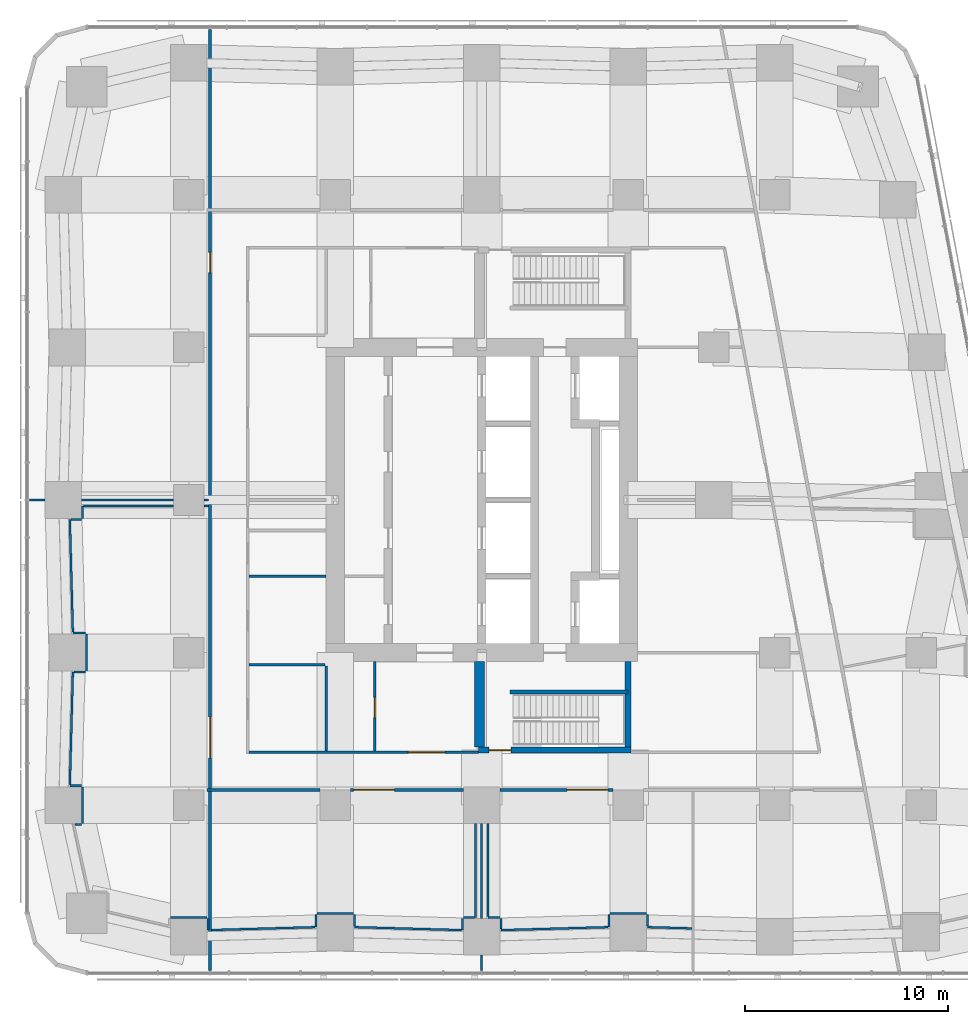
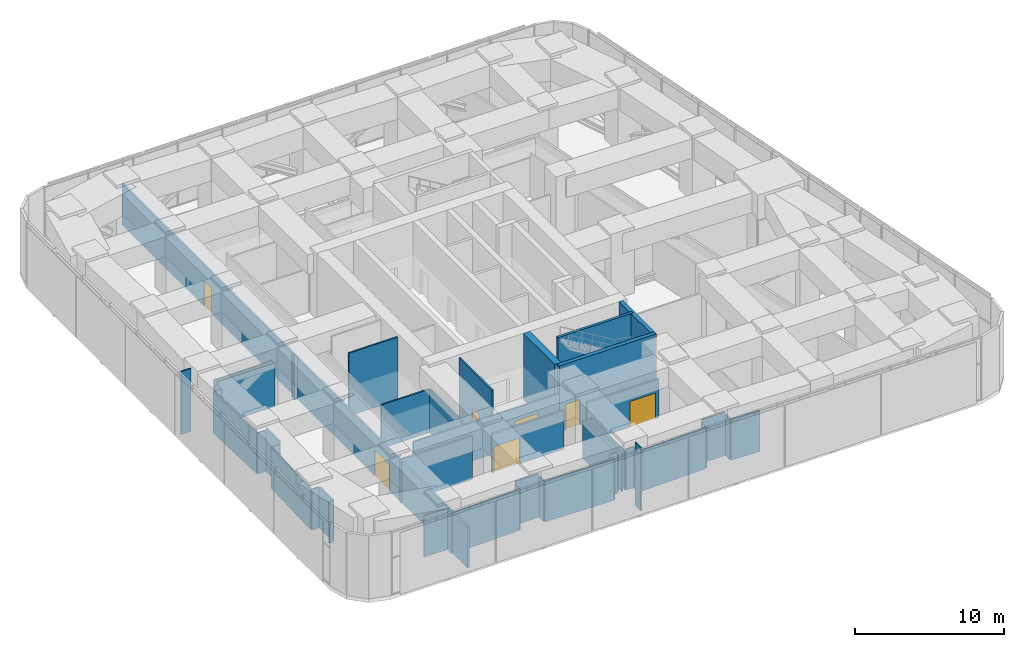
# One storey, part 12 of 17: 48 walls, 7 doors, 7 openings.
"""IFC4 building model written with IfcOpenShell, lengths in metres."""

from ifc_helpers import new_model, si_unit, direction, frame, frame_2d, origin, place, context, subcontext, project, spatial, rectangle, extrude, material, layer, layer_set, type_object, element, fill, save


model = new_model("IFC4")

# Units and contexts
model_context = context("Model", 3, precision=1e-05, world=origin(), true_north=direction((0.0, 1.0)))
body_context = subcontext(model_context, "Body", "Model", "MODEL_VIEW")
ifc_project = project(units=[si_unit("LENGTHUNIT", "METRE"), si_unit("AREAUNIT", "SQUARE_METRE"), si_unit("VOLUMEUNIT", "CUBIC_METRE"), si_unit("PLANEANGLEUNIT", "RADIAN"), si_unit("MASSUNIT", "GRAM", prefix="KILO")], contexts=[model_context])

# Site, building, storey
site_placement = place(None, origin())
site = spatial("IfcSite", under=ifc_project, at=site_placement, CompositionType="ELEMENT")
building_placement = place(site_placement, origin())
building = spatial("IfcBuilding", under=site, at=building_placement, Name="Sheger Commons Tower", CompositionType="ELEMENT")
storey_placement = place(building_placement, frame((0.0, 0.0, 188.300048828125)))
storey = spatial("IfcBuildingStorey", under=building, at=storey_placement, Name="L48", CompositionType="ELEMENT", Elevation=188.300048828125)

# Wall, openings, doors
ifc_material_1 = material(Name="Hollow concrete block masonry, skimmed both sides", Category="masonry")
ifc_layer_1 = layer(ifc_material_1, 0.14990234375)
ifc_layer_set_1 = layer_set([ifc_layer_1], Name="CORRIDOR WALL 150")
wall_type_1 = type_object("IfcWallType", Name="CORRIDOR WALL 150", PredefinedType="SOLIDWALL", material=ifc_layer_set_1)
wall_1_placement = place(storey_placement, frame((8.25, -0.636962890625, 0.0), z_axis=(0.0, 0.0, 1.0), x_axis=(0.0, 1.0, 0.0)))
wall_1 = element("IfcWall", 1, at=wall_1_placement, inside=storey, type_object=wall_type_1, Name="Corridor wall L48", PredefinedType="SOLIDWALL", context=body_context, shape_type="SweptSolid", body=[
    extrude(rectangle(XDim=46.27490234375, YDim=0.14990234375, at=frame_2d((23.137451171875, 0.0))), origin(), (0.0, 0.0, 1.0), 3.349853515625),
])
opening_1_placement = place(wall_1_placement, frame((10.4619140625, 0.0, 0.0)))
opening_1 = element("IfcOpeningElement", 2, at=opening_1_placement, cuts=wall_1, Name="Opening D8", PredefinedType="OPENING", context=body_context, shape_type="SweptSolid", body=[
    extrude(rectangle(XDim=2.0, YDim=2.10009765625, at=frame_2d((1.0, 1.050048828125))), frame((0.0, 0.0849609375, 0.0), z_axis=(0.0, -1.0, 0.0), x_axis=(1.0, 0.0, 0.0)), (0.0, 0.0, 1.0), 0.169921875),
])
opening_2_placement = place(wall_1_placement, frame((34.31201171875, 0.0, 0.0)))
opening_2 = element("IfcOpeningElement", 3, at=opening_2_placement, cuts=wall_1, Name="Opening D4", PredefinedType="OPENING", context=body_context, shape_type="SweptSolid", body=[
    extrude(rectangle(XDim=1.0, YDim=2.10009765625, at=frame_2d((0.5, 1.050048828125))), frame((0.0, 0.0849609375, 0.0), z_axis=(0.0, -1.0, 0.0), x_axis=(1.0, 0.0, 0.0)), (0.0, 0.0, 1.0), 0.169921875),
])
ifc_material_2 = material(Name="Steel door set, fire rated", Category="steel")
door_type_1 = type_object("IfcDoorType", Name="COMMUNITY HALL DOUBLE DOOR 2000x2100", OperationType="DOUBLE_DOOR_SINGLE_SWING", PredefinedType="DOOR", material=ifc_material_2)
door_1_placement = place(opening_1_placement, origin())
door_1 = element("IfcDoor", 4, at=door_1_placement, inside=storey, type_object=door_type_1, Name="Residents' gym door", OperationType="DOUBLE_DOOR_SINGLE_SWING", OverallHeight=2.10009765625, OverallWidth=2.0, PredefinedType="DOOR", context=body_context, shape_type="SweptSolid", body=[
    extrude(rectangle(XDim=2.0, YDim=2.10009765625, at=frame_2d((1.0, 1.050048828125))), frame((0.0, 0.02490234375, 0.0), z_axis=(0.0, -1.0, 0.0), x_axis=(1.0, 0.0, 0.0)), (0.0, 0.0, 1.0), 0.050048828125),
])
fill(opening_1, door_1)
ifc_material_3 = material(Name="Steel door set, fire rated", Category="steel")
door_type_2 = type_object("IfcDoorType", Name="SERVICE DOOR 1000x2100", OperationType="NOTDEFINED", PredefinedType="DOOR", material=ifc_material_3)
door_2_placement = place(opening_2_placement, origin())
door_2 = element("IfcDoor", 5, at=door_2_placement, inside=storey, type_object=door_type_2, Name="Refuge area door", OperationType="SINGLE_SWING_RIGHT", OverallHeight=2.10009765625, OverallWidth=1.0, PredefinedType="DOOR", context=body_context, shape_type="SweptSolid", body=[
    extrude(rectangle(XDim=1.0, YDim=2.10009765625, at=frame_2d((0.5, 1.050048828125))), frame((0.0, 0.02490234375, 0.0), z_axis=(0.0, -1.0, 0.0), x_axis=(1.0, 0.0, 0.0)), (0.0, 0.0, 1.0), 0.050048828125),
])
fill(opening_2, door_2)

# Wall, opening, door
wall_2_placement = place(storey_placement, frame((28.049072265625, 8.25, 0.0), z_axis=(0.0, 0.0, 1.0), x_axis=(-1.0, 0.0, 0.0)))
wall_2 = element("IfcWall", 6, at=wall_2_placement, inside=storey, type_object=wall_type_1, Name="Corridor wall L48", PredefinedType="SOLIDWALL", context=body_context, shape_type="SweptSolid", body=[
    extrude(rectangle(XDim=5.548095703125, YDim=0.14990234375, at=frame_2d((2.77392578125, 0.0))), origin(), (0.0, 0.0, 1.0), 3.14990234375),
])
opening_3_placement = place(wall_2_placement, frame((0.2490234375, 0.0, 0.0)))
opening_3 = element("IfcOpeningElement", 7, at=opening_3_placement, cuts=wall_2, Name="Opening D8", PredefinedType="OPENING", context=body_context, shape_type="SweptSolid", body=[
    extrude(rectangle(XDim=2.0, YDim=2.10009765625, at=frame_2d((1.0, 1.050048828125))), frame((0.0, 0.0849609375, 0.0), z_axis=(0.0, -1.0, 0.0), x_axis=(1.0, 0.0, 0.0)), (0.0, 0.0, 1.0), 0.169921875),
])
door_3_placement = place(opening_3_placement, origin())
door_3 = element("IfcDoor", 8, at=door_3_placement, inside=storey, type_object=door_type_1, Name="Community hall door", OperationType="DOUBLE_DOOR_SINGLE_SWING", OverallHeight=2.10009765625, OverallWidth=2.0, PredefinedType="DOOR", context=body_context, shape_type="SweptSolid", body=[
    extrude(rectangle(XDim=2.0, YDim=2.10009765625, at=frame_2d((1.0, 1.050048828125))), frame((0.0, 0.02490234375, 0.0), z_axis=(0.0, -1.0, 0.0), x_axis=(1.0, 0.0, 0.0)), (0.0, 0.0, 1.0), 0.050048828125),
])
fill(opening_3, door_3)

wall_3_placement = place(storey_placement, frame((20.698974609375, 8.25, 0.0), z_axis=(0.0, 0.0, 1.0), x_axis=(-1.0, 0.0, 0.0)))
wall_3 = element("IfcWall", 9, at=wall_3_placement, inside=storey, type_object=wall_type_1, Name="Corridor wall L48", PredefinedType="SOLIDWALL", context=body_context, shape_type="SweptSolid", body=[
    extrude(rectangle(XDim=5.548095703125, YDim=0.14990234375, at=frame_2d((2.77392578125, 0.0))), origin(), (0.0, 0.0, 1.0), 3.14990234375),
])
opening_4_placement = place(wall_3_placement, frame((3.39794921875, 0.0, 0.0)))
opening_4 = element("IfcOpeningElement", 10, at=opening_4_placement, cuts=wall_3, Name="Opening D8", PredefinedType="OPENING", context=body_context, shape_type="SweptSolid", body=[
    extrude(rectangle(XDim=2.0, YDim=2.10009765625, at=frame_2d((1.0, 1.050048828125))), frame((0.0, 0.0849609375, 0.0), z_axis=(0.0, -1.0, 0.0), x_axis=(1.0, 0.0, 0.0)), (0.0, 0.0, 1.0), 0.169921875),
])
door_4_placement = place(opening_4_placement, origin())
door_4 = element("IfcDoor", 11, at=door_4_placement, inside=storey, type_object=door_type_1, Name="Childcare centre door", OperationType="DOUBLE_DOOR_SINGLE_SWING", OverallHeight=2.10009765625, OverallWidth=2.0, PredefinedType="DOOR", context=body_context, shape_type="SweptSolid", body=[
    extrude(rectangle(XDim=2.0, YDim=2.10009765625, at=frame_2d((1.0, 1.050048828125))), frame((0.0, 0.02490234375, 0.0), z_axis=(0.0, -1.0, 0.0), x_axis=(1.0, 0.0, 0.0)), (0.0, 0.0, 1.0), 0.050048828125),
])
fill(opening_4, door_4)

# Walls
wall_4_placement = place(storey_placement, frame((13.64892578125, 8.25, 0.0), z_axis=(0.0, 0.0, 1.0), x_axis=(-1.0, 0.0, 0.0)))
element("IfcWall", 12, at=wall_4_placement, inside=storey, type_object=wall_type_1, Name="Corridor wall L48", PredefinedType="SOLIDWALL", context=body_context, shape_type="SweptSolid", body=[
    extrude(rectangle(XDim=5.548828125, YDim=0.14990234375, at=frame_2d((2.7744140625, 0.0))), origin(), (0.0, 0.0, 1.0), 3.550048828125),
])
ifc_material_4 = material(Name="Gypsum board on steel studs", Category="steel")
ifc_layer_2 = layer(ifc_material_4, 0.10009765625)
ifc_layer_set_2 = layer_set([ifc_layer_2], Name="PARTITION 100")
wall_type_2 = type_object("IfcWallType", Name="PARTITION 100", PredefinedType="PARTITIONING", material=ifc_layer_set_2)
wall_5_placement = place(storey_placement, frame((21.60009765625, -0.636962890625, 0.0), z_axis=(0.0, 0.0, 1.0), x_axis=(0.0, 1.0, 0.0)))
element("IfcWall", 13, at=wall_5_placement, inside=storey, type_object=wall_type_2, Name="Partition L48", PredefinedType="PARTITIONING", context=body_context, shape_type="SweptSolid", body=[
    extrude(rectangle(XDim=0.760986328125, YDim=0.10009765625, at=frame_2d((0.38037109375, 0.0))), origin(), (0.0, 0.0, 1.0), 5.14990234375),
])
wall_6_placement = place(storey_placement, frame((21.60009765625, 1.926025390625, 0.0), z_axis=(0.0, 0.0, 1.0), x_axis=(0.0, 1.0, 0.0)))
element("IfcWall", 14, at=wall_6_placement, inside=storey, type_object=wall_type_2, Name="Partition L48", PredefinedType="PARTITIONING", context=body_context, shape_type="SweptSolid", body=[
    extrude(rectangle(XDim=4.673095703125, YDim=0.10009765625, at=frame_2d((2.33642578125, 0.0))), origin(), (0.0, 0.0, 1.0), 3.14990234375),
])
wall_7_placement = place(storey_placement, frame((-0.636962890625, 22.5, 0.0), z_axis=(0.0, 0.0, 1.0), x_axis=(1.0, 0.0, 0.0)))
element("IfcWall", 15, at=wall_7_placement, inside=storey, type_object=wall_type_2, Name="Partition L48", PredefinedType="PARTITIONING", context=body_context, shape_type="SweptSolid", body=[
    extrude(rectangle(XDim=0.760986328125, YDim=0.10009765625, at=frame_2d((0.38037109375, 0.0))), origin(), (0.0, 0.0, 1.0), 5.14990234375),
])
wall_8_placement = place(storey_placement, frame((1.926025390625, 22.5, 0.0), z_axis=(0.0, 0.0, 1.0), x_axis=(1.0, 0.0, 0.0)))
element("IfcWall", 16, at=wall_8_placement, inside=storey, type_object=wall_type_2, Name="Partition L48", PredefinedType="PARTITIONING", context=body_context, shape_type="SweptSolid", body=[
    extrude(rectangle(XDim=4.52294921875, YDim=0.10009765625, at=frame_2d((2.261474609375, 0.0))), origin(), (0.0, 0.0, 1.0), 3.550048828125),
])
wall_9_placement = place(storey_placement, frame((7.950927734375, 22.5, 0.0), z_axis=(0.0, 0.0, 1.0), x_axis=(1.0, 0.0, 0.0)))
element("IfcWall", 17, at=wall_9_placement, inside=storey, type_object=wall_type_2, Name="Partition L48", PredefinedType="PARTITIONING", context=body_context, shape_type="SweptSolid", body=[
    extrude(rectangle(XDim=0.22412109375, YDim=0.10009765625, at=frame_2d((0.112060546875, 0.0))), origin(), (0.0, 0.0, 1.0), 3.550048828125),
])
wall_10_placement = place(storey_placement, frame((21.300048828125, 6.59912109375, 0.0), z_axis=(0.0, 0.0, 1.0), x_axis=(0.0, -1.0, 0.0)))
element("IfcWall", 18, at=wall_10_placement, inside=storey, type_object=wall_type_2, Name="Partition L48", PredefinedType="PARTITIONING", context=body_context, shape_type="SweptSolid", body=[
    extrude(rectangle(XDim=4.6240234375, YDim=0.10009765625, at=frame_2d((2.31201171875, 0.0))), origin(), (0.0, 0.0, 1.0), 3.14990234375),
])
wall_11_placement = place(storey_placement, frame((21.25, 1.97509765625, 0.0), z_axis=(0.0, 0.0, 1.0), x_axis=(-1.0, 0.0, 0.0)))
element("IfcWall", 19, at=wall_11_placement, inside=storey, type_object=wall_type_2, Name="Partition L48", PredefinedType="PARTITIONING", context=body_context, shape_type="SweptSolid", body=[
    extrude(rectangle(XDim=0.550048828125, YDim=0.10009765625, at=frame_2d((0.27490234375, 0.0))), origin(), (0.0, 0.0, 1.0), 3.349853515625),
])
wall_12_placement = place(storey_placement, frame((20.64990234375, 1.925048828125, 0.0), z_axis=(0.0, 0.0, 1.0), x_axis=(0.0, -1.0, 0.0)))
element("IfcWall", 20, at=wall_12_placement, inside=storey, type_object=wall_type_2, Name="Partition L48", PredefinedType="PARTITIONING", context=body_context, shape_type="SweptSolid", body=[
    extrude(rectangle(XDim=0.572998046875, YDim=0.10009765625, at=frame_2d((0.28662109375, 0.0))), origin(), (0.0, 0.0, 1.0), 3.349853515625),
])
wall_13_placement = place(storey_placement, frame((20.59912109375, 1.35302734375, 0.0), z_axis=(0.0, 0.0, 1.0), x_axis=(-0.999613416282, 0.027803201067, 0.0)))
element("IfcWall", 21, at=wall_13_placement, inside=storey, type_object=wall_type_2, Name="Partition L48", PredefinedType="PARTITIONING", context=body_context, shape_type="SweptSolid", body=[
    extrude(rectangle(XDim=5.2509765625, YDim=0.10009765625, at=frame_2d((2.62548828125, 0.0))), origin(), (0.0, 0.0, 1.0), 3.349853515625),
])
wall_14_placement = place(storey_placement, frame((15.35009765625, 1.549072265625, 0.0), z_axis=(0.0, 0.0, 1.0), x_axis=(0.0, 1.0, 0.0)))
element("IfcWall", 22, at=wall_14_placement, inside=storey, type_object=wall_type_2, Name="Partition L48", PredefinedType="PARTITIONING", context=body_context, shape_type="SweptSolid", body=[
    extrude(rectangle(XDim=0.575927734375, YDim=0.10009765625, at=frame_2d((0.2880859375, 0.0))), origin(), (0.0, 0.0, 1.0), 3.349853515625),
])
wall_15_placement = place(storey_placement, frame((15.300048828125, 2.175048828125, 0.0), z_axis=(0.0, 0.0, 1.0), x_axis=(-1.0, 0.0, 0.0)))
element("IfcWall", 23, at=wall_15_placement, inside=storey, type_object=wall_type_2, Name="Partition L48", PredefinedType="PARTITIONING", context=body_context, shape_type="SweptSolid", body=[
    extrude(rectangle(XDim=1.800048828125, YDim=0.10009765625, at=frame_2d((0.89990234375, 0.0))), origin(), (0.0, 0.0, 1.0), 3.550048828125),
])
wall_16_placement = place(storey_placement, frame((13.449951171875, 2.125, 0.0), z_axis=(0.0, 0.0, 1.0), x_axis=(0.0, -1.0, 0.0)))
element("IfcWall", 24, at=wall_16_placement, inside=storey, type_object=wall_type_2, Name="Partition L48", PredefinedType="PARTITIONING", context=body_context, shape_type="SweptSolid", body=[
    extrude(rectangle(XDim=0.6259765625, YDim=0.10009765625, at=frame_2d((0.31298828125, 0.0))), origin(), (0.0, 0.0, 1.0), 3.349853515625),
])
wall_17_placement = place(storey_placement, frame((13.39990234375, 1.498046875, 0.0), z_axis=(0.0, 0.0, 1.0), x_axis=(-0.999608128068, -0.027992682988, 0.0)))
element("IfcWall", 25, at=wall_17_placement, inside=storey, type_object=wall_type_2, Name="Partition L48", PredefinedType="PARTITIONING", context=body_context, shape_type="SweptSolid", body=[
    extrude(rectangle(XDim=5.075927734375, YDim=0.10009765625, at=frame_2d((2.5380859375, 0.0))), origin(), (0.0, 0.0, 1.0), 3.349853515625),
])
wall_18_placement = place(storey_placement, frame((31.948974609375, 1.43701171875, 0.0), z_axis=(0.0, 0.0, 1.0), x_axis=(-0.999602608865, 0.02818908212, 0.0)))
element("IfcWall", 26, at=wall_18_placement, inside=storey, type_object=wall_type_2, Name="Partition L48", PredefinedType="PARTITIONING", context=body_context, shape_type="SweptSolid", body=[
    extrude(rectangle(XDim=2.199951171875, YDim=0.10009765625, at=frame_2d((1.10009765625, 0.0))), origin(), (0.0, 0.0, 1.0), 3.349853515625),
])
wall_19_placement = place(storey_placement, frame((29.75, 1.549072265625, 0.0), z_axis=(0.0, 0.0, 1.0), x_axis=(0.0, 1.0, 0.0)))
element("IfcWall", 27, at=wall_19_placement, inside=storey, type_object=wall_type_2, Name="Partition L48", PredefinedType="PARTITIONING", context=body_context, shape_type="SweptSolid", body=[
    extrude(rectangle(XDim=0.575927734375, YDim=0.10009765625, at=frame_2d((0.2880859375, 0.0))), origin(), (0.0, 0.0, 1.0), 3.349853515625),
])
wall_20_placement = place(storey_placement, frame((29.699951171875, 2.175048828125, 0.0), z_axis=(0.0, 0.0, 1.0), x_axis=(-1.0, 0.0, 0.0)))
element("IfcWall", 28, at=wall_20_placement, inside=storey, type_object=wall_type_2, Name="Partition L48", PredefinedType="PARTITIONING", context=body_context, shape_type="SweptSolid", body=[
    extrude(rectangle(XDim=1.800048828125, YDim=0.10009765625, at=frame_2d((0.89990234375, 0.0))), origin(), (0.0, 0.0, 1.0), 3.550048828125),
])
wall_21_placement = place(storey_placement, frame((27.85009765625, 2.125, 0.0), z_axis=(0.0, 0.0, 1.0), x_axis=(0.0, -1.0, 0.0)))
element("IfcWall", 29, at=wall_21_placement, inside=storey, type_object=wall_type_2, Name="Partition L48", PredefinedType="PARTITIONING", context=body_context, shape_type="SweptSolid", body=[
    extrude(rectangle(XDim=0.6259765625, YDim=0.10009765625, at=frame_2d((0.31298828125, 0.0))), origin(), (0.0, 0.0, 1.0), 3.349853515625),
])
wall_22_placement = place(storey_placement, frame((27.800048828125, 1.498046875, 0.0), z_axis=(0.0, 0.0, 1.0), x_axis=(-0.999613560003, -0.027798033337, 0.0)))
element("IfcWall", 30, at=wall_22_placement, inside=storey, type_object=wall_type_2, Name="Partition L48", PredefinedType="PARTITIONING", context=body_context, shape_type="SweptSolid", body=[
    extrude(rectangle(XDim=5.251953125, YDim=0.10009765625, at=frame_2d((2.6259765625, 0.0))), origin(), (0.0, 0.0, 1.0), 3.349853515625),
])
wall_23_placement = place(storey_placement, frame((22.550048828125, 1.403076171875, 0.0), z_axis=(0.0, 0.0, 1.0), x_axis=(0.0, 1.0, 0.0)))
element("IfcWall", 31, at=wall_23_placement, inside=storey, type_object=wall_type_2, Name="Partition L48", PredefinedType="PARTITIONING", context=body_context, shape_type="SweptSolid", body=[
    extrude(rectangle(XDim=0.52197265625, YDim=0.10009765625, at=frame_2d((0.260986328125, 0.0))), origin(), (0.0, 0.0, 1.0), 3.349853515625),
])
wall_24_placement = place(storey_placement, frame((22.5, 1.97509765625, 0.0), z_axis=(0.0, 0.0, 1.0), x_axis=(-1.0, 0.0, 0.0)))
element("IfcWall", 32, at=wall_24_placement, inside=storey, type_object=wall_type_2, Name="Partition L48", PredefinedType="PARTITIONING", context=body_context, shape_type="SweptSolid", body=[
    extrude(rectangle(XDim=0.60009765625, YDim=0.10009765625, at=frame_2d((0.300048828125, 0.0))), origin(), (0.0, 0.0, 1.0), 3.349853515625),
])
wall_25_placement = place(storey_placement, frame((21.89990234375, 2.02490234375, 0.0), z_axis=(0.0, 0.0, 1.0), x_axis=(0.0, 1.0, 0.0)))
element("IfcWall", 33, at=wall_25_placement, inside=storey, type_object=wall_type_2, Name="Partition L48", PredefinedType="PARTITIONING", context=body_context, shape_type="SweptSolid", body=[
    extrude(rectangle(XDim=4.57421875, YDim=0.10009765625, at=frame_2d((2.287109375, 0.0))), origin(), (0.0, 0.0, 1.0), 3.14990234375),
])
wall_26_placement = place(storey_placement, frame((8.14990234375, 1.35205078125, 0.0), z_axis=(0.0, 0.0, 1.0), x_axis=(0.0, 1.0, 0.0)))
element("IfcWall", 34, at=wall_26_placement, inside=storey, type_object=wall_type_2, Name="Partition L48", PredefinedType="PARTITIONING", context=body_context, shape_type="SweptSolid", body=[
    extrude(rectangle(XDim=0.572998046875, YDim=0.10009765625, at=frame_2d((0.28662109375, 0.0))), origin(), (0.0, 0.0, 1.0), 3.349853515625),
])
wall_27_placement = place(storey_placement, frame((8.10009765625, 1.97509765625, 0.0), z_axis=(0.0, 0.0, 1.0), x_axis=(-1.0, 0.0, 0.0)))
element("IfcWall", 35, at=wall_27_placement, inside=storey, type_object=wall_type_2, Name="Partition L48", PredefinedType="PARTITIONING", context=body_context, shape_type="SweptSolid", body=[
    extrude(rectangle(XDim=1.800048828125, YDim=0.10009765625, at=frame_2d((0.89990234375, 0.0))), origin(), (0.0, 0.0, 1.0), 3.349853515625),
])
wall_28_placement = place(storey_placement, frame((1.60205078125, 6.550048828125, 0.0), z_axis=(0.0, 0.0, 1.0), x_axis=(1.0, 0.0, 0.0)))
element("IfcWall", 36, at=wall_28_placement, inside=storey, type_object=wall_type_2, Name="Partition L48", PredefinedType="PARTITIONING", context=body_context, shape_type="SweptSolid", body=[
    extrude(rectangle(XDim=0.322998046875, YDim=0.10009765625, at=frame_2d((0.16162109375, 0.0))), origin(), (0.0, 0.0, 1.0), 3.349853515625),
])
wall_29_placement = place(storey_placement, frame((1.97509765625, 6.60009765625, 0.0), z_axis=(0.0, 0.0, 1.0), x_axis=(0.0, 1.0, 0.0)))
element("IfcWall", 37, at=wall_29_placement, inside=storey, type_object=wall_type_2, Name="Partition L48", PredefinedType="PARTITIONING", context=body_context, shape_type="SweptSolid", body=[
    extrude(rectangle(XDim=1.7998046875, YDim=0.10009765625, at=frame_2d((0.89990234375, 0.0))), origin(), (0.0, 0.0, 1.0), 3.349853515625),
])
wall_30_placement = place(storey_placement, frame((1.925048828125, 8.449951171875, 0.0), z_axis=(0.0, 0.0, 1.0), x_axis=(-1.0, 0.0, 0.0)))
element("IfcWall", 38, at=wall_30_placement, inside=storey, type_object=wall_type_2, Name="Partition L48", PredefinedType="PARTITIONING", context=body_context, shape_type="SweptSolid", body=[
    extrude(rectangle(XDim=0.574951171875, YDim=0.10009765625, at=frame_2d((0.28759765625, 0.0))), origin(), (0.0, 0.0, 1.0), 3.349853515625),
])
wall_31_placement = place(storey_placement, frame((1.35107421875, 8.5009765625, 0.0), z_axis=(0.0, 0.0, 1.0), x_axis=(0.026828300162, 0.999640056375, 0.0)))
element("IfcWall", 39, at=wall_31_placement, inside=storey, type_object=wall_type_2, Name="Partition L48", PredefinedType="PARTITIONING", context=body_context, shape_type="SweptSolid", body=[
    extrude(rectangle(XDim=5.551025390625, YDim=0.10009765625, at=frame_2d((2.775390625, 0.0))), origin(), (0.0, 0.0, 1.0), 3.349853515625),
])
wall_32_placement = place(storey_placement, frame((1.550048828125, 14.050048828125, 0.0), z_axis=(0.0, 0.0, 1.0), x_axis=(1.0, 0.0, 0.0)))
element("IfcWall", 40, at=wall_32_placement, inside=storey, type_object=wall_type_2, Name="Partition L48", PredefinedType="PARTITIONING", context=body_context, shape_type="SweptSolid", body=[
    extrude(rectangle(XDim=0.574951171875, YDim=0.10009765625, at=frame_2d((0.28759765625, 0.0))), origin(), (0.0, 0.0, 1.0), 3.349853515625),
])
wall_33_placement = place(storey_placement, frame((2.175048828125, 14.10009765625, 0.0), z_axis=(0.0, 0.0, 1.0), x_axis=(0.0, 1.0, 0.0)))
element("IfcWall", 41, at=wall_33_placement, inside=storey, type_object=wall_type_2, Name="Partition L48", PredefinedType="PARTITIONING", context=body_context, shape_type="SweptSolid", body=[
    extrude(rectangle(XDim=1.7998046875, YDim=0.10009765625, at=frame_2d((0.89990234375, 0.0))), origin(), (0.0, 0.0, 1.0), 3.550048828125),
])
wall_34_placement = place(storey_placement, frame((2.125, 15.949951171875, 0.0), z_axis=(0.0, 0.0, 1.0), x_axis=(-1.0, 0.0, 0.0)))
element("IfcWall", 42, at=wall_34_placement, inside=storey, type_object=wall_type_2, Name="Partition L48", PredefinedType="PARTITIONING", context=body_context, shape_type="SweptSolid", body=[
    extrude(rectangle(XDim=0.625, YDim=0.10009765625, at=frame_2d((0.3125, 0.0))), origin(), (0.0, 0.0, 1.0), 3.349853515625),
])
wall_35_placement = place(storey_placement, frame((1.4990234375, 16.0, 0.0), z_axis=(0.0, 0.0, 1.0), x_axis=(-0.026823582968, 0.999640182964, 0.0)))
element("IfcWall", 43, at=wall_35_placement, inside=storey, type_object=wall_type_2, Name="Partition L48", PredefinedType="PARTITIONING", context=body_context, shape_type="SweptSolid", body=[
    extrude(rectangle(XDim=5.552001953125, YDim=0.10009765625, at=frame_2d((2.77587890625, 0.0))), origin(), (0.0, 0.0, 1.0), 3.349853515625),
])
wall_36_placement = place(storey_placement, frame((1.40087890625, 21.550048828125, 0.0), z_axis=(0.0, 0.0, 1.0), x_axis=(1.0, 0.0, 0.0)))
element("IfcWall", 44, at=wall_36_placement, inside=storey, type_object=wall_type_2, Name="Partition L48", PredefinedType="PARTITIONING", context=body_context, shape_type="SweptSolid", body=[
    extrude(rectangle(XDim=0.524169921875, YDim=0.10009765625, at=frame_2d((0.26220703125, 0.0))), origin(), (0.0, 0.0, 1.0), 3.349853515625),
])
wall_37_placement = place(storey_placement, frame((1.97509765625, 21.60009765625, 0.0), z_axis=(0.0, 0.0, 1.0), x_axis=(0.0, 1.0, 0.0)))
element("IfcWall", 45, at=wall_37_placement, inside=storey, type_object=wall_type_2, Name="Partition L48", PredefinedType="PARTITIONING", context=body_context, shape_type="SweptSolid", body=[
    extrude(rectangle(XDim=0.599853515625, YDim=0.10009765625, at=frame_2d((0.2998046875, 0.0))), origin(), (0.0, 0.0, 1.0), 3.349853515625),
])
wall_38_placement = place(storey_placement, frame((2.02490234375, 22.199951171875, 0.0), z_axis=(0.0, 0.0, 1.0), x_axis=(1.0, 0.0, 0.0)))
element("IfcWall", 46, at=wall_38_placement, inside=storey, type_object=wall_type_2, Name="Partition L48", PredefinedType="PARTITIONING", context=body_context, shape_type="SweptSolid", body=[
    extrude(rectangle(XDim=4.424072265625, YDim=0.10009765625, at=frame_2d((2.2119140625, 0.0))), origin(), (0.0, 0.0, 1.0), 3.550048828125),
])
wall_39_placement = place(storey_placement, frame((7.950927734375, 22.199951171875, 0.0), z_axis=(0.0, 0.0, 1.0), x_axis=(1.0, 0.0, 0.0)))
element("IfcWall", 47, at=wall_39_placement, inside=storey, type_object=wall_type_2, Name="Partition L48", PredefinedType="PARTITIONING", context=body_context, shape_type="SweptSolid", body=[
    extrude(rectangle(XDim=0.22412109375, YDim=0.10009765625, at=frame_2d((0.112060546875, 0.0))), origin(), (0.0, 0.0, 1.0), 3.550048828125),
])
ifc_material_5 = material(Name="Gypsum board on steel studs, two layers each side, fire rated", Category="steel")
ifc_layer_3 = layer(ifc_material_5, 0.125)
ifc_layer_set_3 = layer_set([ifc_layer_3], Name="SERVICE WALL 125")
wall_type_3 = type_object("IfcWallType", Name="SERVICE WALL 125", PredefinedType="PARTITIONING", material=ifc_layer_set_3)
wall_40_placement = place(storey_placement, frame((10.1630859375, 14.39990234375, 0.0), z_axis=(0.0, 0.0, 1.0), x_axis=(1.0, 0.0, 0.0)))
element("IfcWall", 48, at=wall_40_placement, inside=storey, type_object=wall_type_3, Name="Service room wall L48", PredefinedType="PARTITIONING", context=body_context, shape_type="SweptSolid", body=[
    extrude(rectangle(XDim=3.724853515625, YDim=0.125, at=frame_2d((1.8623046875, 0.0))), origin(), (0.0, 0.0, 1.0), 3.550048828125),
])
wall_41_placement = place(storey_placement, frame((13.949951171875, 10.1630859375, 0.0), z_axis=(0.0, 0.0, 1.0), x_axis=(0.0, 1.0, 0.0)))
element("IfcWall", 49, at=wall_41_placement, inside=storey, type_object=wall_type_3, Name="Service room wall L48", PredefinedType="PARTITIONING", context=body_context, shape_type="SweptSolid", body=[
    extrude(rectangle(XDim=4.1748046875, YDim=0.125, at=frame_2d((2.08740234375, 0.0))), origin(), (0.0, 0.0, 1.0), 3.550048828125),
])

# Wall, opening, door
wall_42_placement = place(storey_placement, frame((10.1630859375, 10.10009765625, 0.0), z_axis=(0.0, 0.0, 1.0), x_axis=(1.0, 0.0, 0.0)))
wall_42 = element("IfcWall", 50, at=wall_42_placement, inside=storey, type_object=wall_type_3, Name="Service room wall L48", PredefinedType="PARTITIONING", context=body_context, shape_type="SweptSolid", body=[
    extrude(rectangle(XDim=11.286865234375, YDim=0.125, at=frame_2d((5.6435546875, 0.0))), origin(), (0.0, 0.0, 1.0), 3.14990234375),
])
opening_5_placement = place(wall_42_placement, frame((7.83203125, 0.0, 0.0)))
opening_5 = element("IfcOpeningElement", 51, at=opening_5_placement, cuts=wall_42, Name="Opening D6", PredefinedType="OPENING", context=body_context, shape_type="SweptSolid", body=[
    extrude(rectangle(XDim=1.800048828125, YDim=2.10009765625, at=frame_2d((0.89990234375, 1.050048828125))), frame((0.0, 0.072509765625, 0.0), z_axis=(0.0, -1.0, 0.0), x_axis=(1.0, 0.0, 0.0)), (0.0, 0.0, 1.0), 0.14501953125),
])
ifc_material_6 = material(Name="Steel door set, fire rated", Category="steel")
door_type_3 = type_object("IfcDoorType", Name="LOBBY DOUBLE DOOR 1800x2100", OperationType="DOUBLE_DOOR_SINGLE_SWING", PredefinedType="DOOR", material=ifc_material_6)
door_5_placement = place(opening_5_placement, origin())
door_5 = element("IfcDoor", 52, at=door_5_placement, inside=storey, type_object=door_type_3, Name="Lift lobby south door", OperationType="DOUBLE_DOOR_SINGLE_SWING", OverallHeight=2.10009765625, OverallWidth=1.800048828125, PredefinedType="DOOR", context=body_context, shape_type="SweptSolid", body=[
    extrude(rectangle(XDim=1.800048828125, YDim=2.10009765625, at=frame_2d((0.89990234375, 1.050048828125))), frame((0.0, 0.02490234375, 0.0), z_axis=(0.0, -1.0, 0.0), x_axis=(1.0, 0.0, 0.0)), (0.0, 0.0, 1.0), 0.050048828125),
])
fill(opening_5, door_5)

wall_43_placement = place(storey_placement, frame((16.340087890625, 10.1630859375, 0.0), z_axis=(0.0, 0.0, 1.0), x_axis=(0.0, 1.0, 0.0)))
wall_43 = element("IfcWall", 53, at=wall_43_placement, inside=storey, type_object=wall_type_3, Name="Service room wall L48", PredefinedType="PARTITIONING", context=body_context, shape_type="SweptSolid", body=[
    extrude(rectangle(XDim=4.386962890625, YDim=0.125, at=frame_2d((2.193359375, 0.0))), origin(), (0.0, 0.0, 1.0), 5.14990234375),
])
opening_6_placement = place(wall_43_placement, frame((1.636962890625, 0.0, 0.0)))
opening_6 = element("IfcOpeningElement", 54, at=opening_6_placement, cuts=wall_43, Name="Opening D4", PredefinedType="OPENING", context=body_context, shape_type="SweptSolid", body=[
    extrude(rectangle(XDim=1.0, YDim=2.10009765625, at=frame_2d((0.5, 1.050048828125))), frame((0.0, 0.072509765625, 0.0), z_axis=(0.0, -1.0, 0.0), x_axis=(1.0, 0.0, 0.0)), (0.0, 0.0, 1.0), 0.14501953125),
])
door_6_placement = place(opening_6_placement, origin())
door_6 = element("IfcDoor", 55, at=door_6_placement, inside=storey, type_object=door_type_2, Name="Electrical plant room door", OperationType="SINGLE_SWING_LEFT", OverallHeight=2.10009765625, OverallWidth=1.0, PredefinedType="DOOR", context=body_context, shape_type="SweptSolid", body=[
    extrude(rectangle(XDim=1.0, YDim=2.10009765625, at=frame_2d((0.5, 1.050048828125))), frame((0.0, 0.02490234375, 0.0), z_axis=(0.0, -1.0, 0.0), x_axis=(1.0, 0.0, 0.0)), (0.0, 0.0, 1.0), 0.050048828125),
])
fill(opening_6, door_6)

# Wall
wall_44_placement = place(storey_placement, frame((10.1630859375, 18.75, 0.0), z_axis=(0.0, 0.0, 1.0), x_axis=(1.0, 0.0, 0.0)))
element("IfcWall", 56, at=wall_44_placement, inside=storey, type_object=wall_type_3, Name="Service room wall L48", PredefinedType="PARTITIONING", context=body_context, shape_type="SweptSolid", body=[
    extrude(rectangle(XDim=3.786865234375, YDim=0.125, at=frame_2d((1.8935546875, 0.0))), origin(), (0.0, 0.0, 1.0), 5.14990234375),
])

# Wall, opening, door
ifc_material_7 = material(Name="Concrete C50/60", Category="concrete")
ifc_layer_4 = layer(ifc_material_7, 0.300048828125)
ifc_layer_set_4 = layer_set([ifc_layer_4], Name="STAIR CORE WALL 300")
wall_type_4 = type_object("IfcWallType", Name="STAIR CORE WALL 300", PredefinedType="SHEAR", material=ifc_layer_set_4)
wall_45_placement = place(storey_placement, frame((21.449951171875, 10.199951171875, 0.0), z_axis=(0.0, 0.0, 1.0), x_axis=(1.0, 0.0, 0.0)))
wall_45 = element("IfcWall", 57, at=wall_45_placement, inside=storey, type_object=wall_type_4, Name="STW-L48-S1S", PredefinedType="SHEAR", context=body_context, shape_type="SweptSolid", body=[
    extrude(rectangle(XDim=7.5, YDim=0.300048828125, at=frame_2d((3.75, 0.0))), origin(), (0.0, 0.0, 1.0), 5.39990234375),
])
opening_7_placement = place(wall_45_placement, frame((0.5, 0.0, 0.0)))
opening_7 = element("IfcOpeningElement", 58, at=opening_7_placement, cuts=wall_45, Name="Opening D5", PredefinedType="OPENING", context=body_context, shape_type="SweptSolid", body=[
    extrude(rectangle(XDim=1.10009765625, YDim=2.10009765625, at=frame_2d((0.550048828125, 1.050048828125))), frame((0.0, 0.159912109375, 0.0), z_axis=(0.0, -1.0, 0.0), x_axis=(1.0, 0.0, 0.0)), (0.0, 0.0, 1.0), 0.320068359375),
])
ifc_material_8 = material(Name="Steel door set, fire rated", Category="steel")
door_type_4 = type_object("IfcDoorType", Name="STAIR DOOR 1100x2100", OperationType="NOTDEFINED", PredefinedType="DOOR", material=ifc_material_8)
door_7_placement = place(opening_7_placement, origin())
door_7 = element("IfcDoor", 59, at=door_7_placement, inside=storey, type_object=door_type_4, Name="Stair S1 door", OperationType="SINGLE_SWING_LEFT", OverallHeight=2.10009765625, OverallWidth=1.10009765625, PredefinedType="DOOR", context=body_context, shape_type="SweptSolid", body=[
    extrude(rectangle(XDim=1.10009765625, YDim=2.10009765625, at=frame_2d((0.550048828125, 1.050048828125))), frame((0.0, 0.02490234375, 0.0), z_axis=(0.0, -1.0, 0.0), x_axis=(1.0, 0.0, 0.0)), (0.0, 0.0, 1.0), 0.050048828125),
])
fill(opening_7, door_7)

# Walls
wall_46_placement = place(storey_placement, frame((28.800048828125, 10.35009765625, 0.0), z_axis=(0.0, 0.0, 1.0), x_axis=(0.0, 1.0, 0.0)))
element("IfcWall", 60, at=wall_46_placement, inside=storey, type_object=wall_type_4, Name="STW-L48-S1E", PredefinedType="SHEAR", context=body_context, shape_type="SweptSolid", body=[
    extrude(rectangle(XDim=4.199951171875, YDim=0.300048828125, at=frame_2d((2.10009765625, 0.0))), origin(), (0.0, 0.0, 1.0), 5.39990234375),
])
ifc_material_9 = material(Name="Concrete C50/60", Category="concrete")
ifc_layer_5 = layer(ifc_material_9, 0.5)
ifc_layer_set_5 = layer_set([ifc_layer_5], Name="STAIR CORE WALL 500")
wall_type_5 = type_object("IfcWallType", Name="STAIR CORE WALL 500", PredefinedType="SHEAR", material=ifc_layer_set_5)
wall_47_placement = place(storey_placement, frame((21.5, 10.35009765625, 0.0), z_axis=(0.0, 0.0, 1.0), x_axis=(0.0, 1.0, 0.0)))
element("IfcWall", 61, at=wall_47_placement, inside=storey, type_object=wall_type_5, Name="STW-L48-S1W", PredefinedType="SHEAR", context=body_context, shape_type="SweptSolid", body=[
    extrude(rectangle(XDim=4.199951171875, YDim=0.5, at=frame_2d((2.10009765625, 0.0))), origin(), (0.0, 0.0, 1.0), 5.39990234375),
])
ifc_material_10 = material(Name="Concrete C50/60", Category="concrete")
ifc_layer_6 = layer(ifc_material_10, 0.199951171875)
ifc_layer_set_6 = layer_set([ifc_layer_6], Name="STAIR SPINE WALL 200")
wall_type_6 = type_object("IfcWallType", Name="STAIR SPINE WALL 200", PredefinedType="SHEAR", material=ifc_layer_set_6)
wall_48_placement = place(storey_placement, frame((23.0, 13.050048828125, 0.0), z_axis=(0.0, 0.0, 1.0), x_axis=(1.0, 0.0, 0.0)))
element("IfcWall", 62, at=wall_48_placement, inside=storey, type_object=wall_type_6, Name="Stair spine wall L48", PredefinedType="SHEAR", context=body_context, shape_type="SweptSolid", body=[
    extrude(rectangle(XDim=5.800048828125, YDim=0.199951171875, at=frame_2d((2.89990234375, 0.0))), origin(), (0.0, 0.0, 1.0), 5.39990234375),
])

save(model, "model.ifc")
